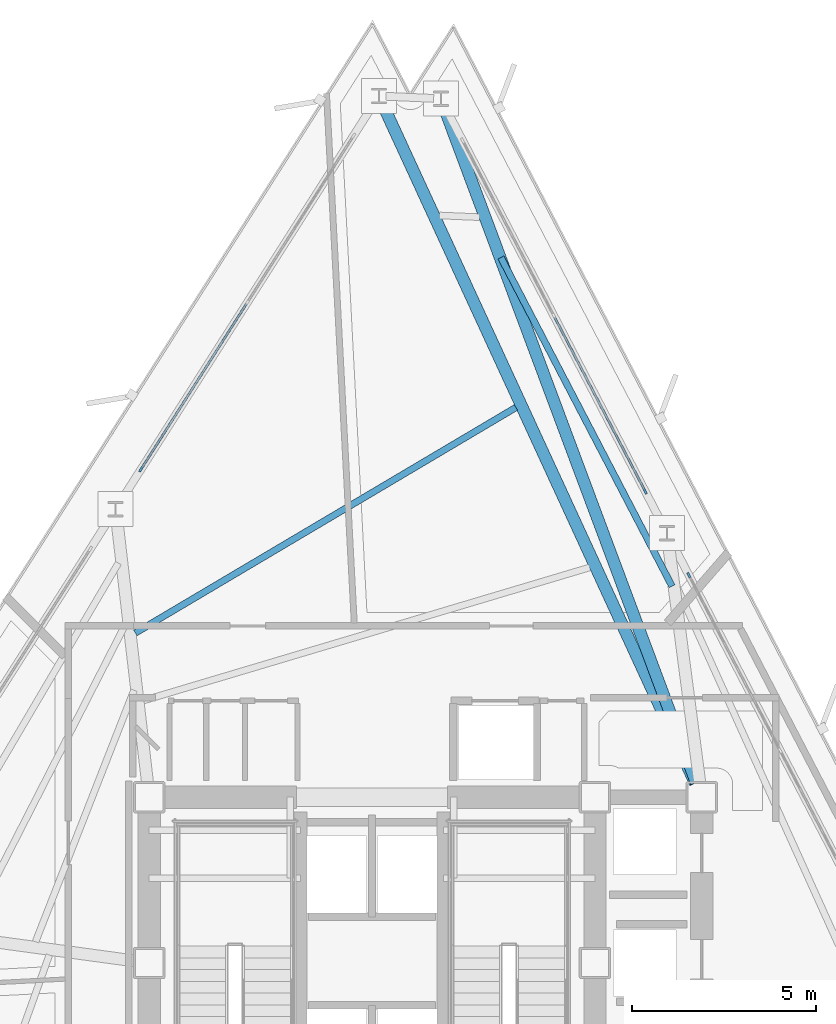
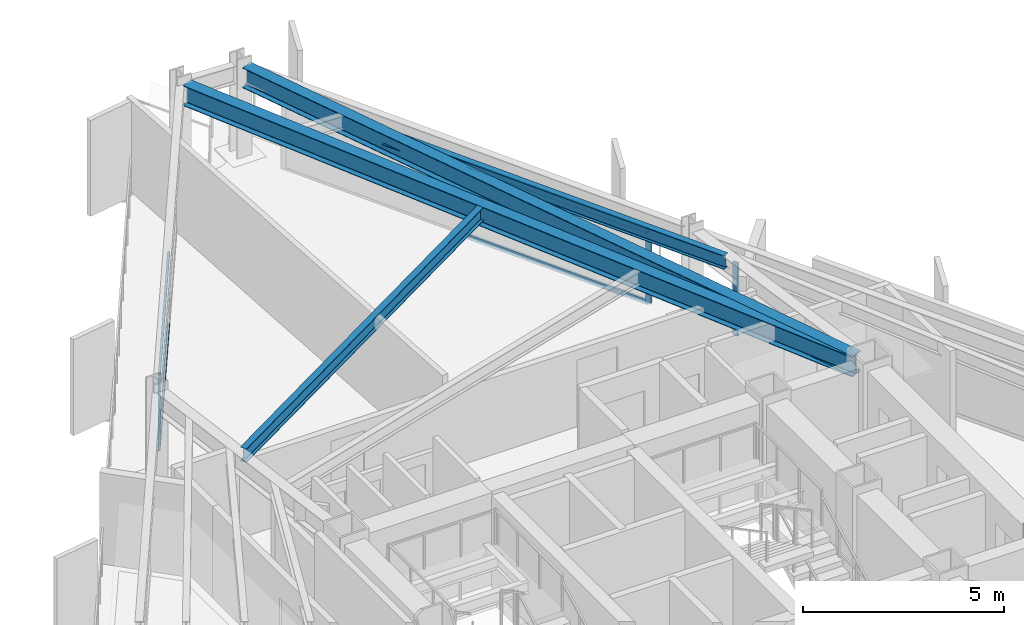
# One storey, part 4 of 12: 7 members, 4 beams, 3 elements without a shape of their own.
"""IFC4 building model written with IfcOpenShell, lengths in metres."""

from ifc_helpers import new_model, si_unit, direction, frame, origin, origin_2d, place, context, subcontext, project, spatial, rectangle, i_section, extrude, material, layer, layer_set, material_profile, profile_set, type_object, element, aggregate, save


model = new_model("IFC4")

# Units and contexts
model_context = context("Model", 3, precision=1e-05, world=origin(), true_north=direction((0.0, 1.0)))
body_context = subcontext(model_context, "Body", "Model", "MODEL_VIEW")
ifc_project = project(units=[si_unit("LENGTHUNIT", "METRE"), si_unit("AREAUNIT", "SQUARE_METRE"), si_unit("VOLUMEUNIT", "CUBIC_METRE"), si_unit("PLANEANGLEUNIT", "RADIAN"), si_unit("MASSUNIT", "GRAM", prefix="KILO")], contexts=[model_context])

# Site, building, storey
site_placement = place(None, origin())
site = spatial("IfcSite", under=ifc_project, at=site_placement, CompositionType="ELEMENT")
building_placement = place(site_placement, origin())
building = spatial("IfcBuilding", under=site, at=building_placement, Name="Rocaltana Carrier Exchange", CompositionType="ELEMENT")
storey_placement = place(building_placement, frame((0.0, 0.0, 125.919921875)))
storey = spatial("IfcBuildingStorey", under=building, at=storey_placement, Name="L39", CompositionType="ELEMENT", Elevation=125.919921875)

# Curtain wall, member
ifc_material_1 = material(Name="Aluminium 6063-T6", Category="aluminium")
ifc_layer = layer(ifc_material_1, 0.14990234375)
ifc_layer_set = layer_set([ifc_layer], Name="Aluminium 6063-T6")
curtain_wall_type = type_object("IfcCurtainWallType", Name="Mid-Tower Unitised Curtain Wall CW-03", PredefinedType="NOTDEFINED", material=ifc_layer_set)
curtain_wall_1_placement = place(storey_placement, origin())
curtain_wall_1 = element("IfcCurtainWall", 1, at=curtain_wall_1_placement, inside=storey, type_object=curtain_wall_type, Name="L39 CW-03 Run CW-L39-F1S2", PredefinedType="NOTDEFINED")
ifc_material_2 = material(Name="Aluminium 6063-T6", Category="aluminium")
ifc_material_profile_1 = material_profile(ifc_material_2, rectangle(XDim=0.06005859375, YDim=0.14990234375, at=origin_2d()), Name="AL-60X150")
ifc_profile_set_1 = profile_set([ifc_material_profile_1], Name="Aluminium 6063-T6")
member_type_1 = type_object("IfcMemberType", Name="CW-03 Mullion AL-60X150", PredefinedType="MULLION", material=ifc_profile_set_1)
member_1_placement = place(storey_placement, frame((8.60009765625, 10.531005859375, 0.0), z_axis=(0.0, 0.0, 1.0), x_axis=(-0.887011747812, -0.461746856235, 0.0)))
member_1 = element("IfcMember", 2, at=member_1_placement, type_object=member_type_1, Name="CW-03 mullion 3", PredefinedType="MULLION", context=body_context, shape_type="SweptSolid", body=[
    extrude(rectangle(XDim=0.06005859375, YDim=0.14990234375, at=origin_2d()), origin(), (0.0, 0.0, 1.0), 2.218017578125),
])
aggregate(curtain_wall_1, [member_1])

curtain_wall_2_placement = place(storey_placement, origin())
curtain_wall_2 = element("IfcCurtainWall", 3, at=curtain_wall_2_placement, inside=storey, type_object=curtain_wall_type, Name="L39 CW-03 Run CW-L39-F1S3", PredefinedType="NOTDEFINED")
member_2_placement = place(storey_placement, frame((7.41796875, 12.8017578125, 0.0), z_axis=(0.0, 0.0, 1.0), x_axis=(-0.887007955385, -0.461754141383, 0.0)))
member_2 = element("IfcMember", 4, at=member_2_placement, type_object=member_type_1, Name="CW-03 mullion 1", PredefinedType="MULLION", context=body_context, shape_type="SweptSolid", body=[
    extrude(rectangle(XDim=0.06005859375, YDim=0.14990234375, at=origin_2d()), origin(), (0.0, 0.0, 1.0), 2.218017578125),
])

curtain_wall_3_placement = place(storey_placement, origin())
curtain_wall_3 = element("IfcCurtainWall", 5, at=curtain_wall_3_placement, inside=storey, type_object=curtain_wall_type, Name="L39 CW-03 Run CW-L39-F2S1", PredefinedType="NOTDEFINED")
member_3_placement = place(storey_placement, frame((-6.27392578125, 13.3994140625, 0.0), z_axis=(0.0, 0.0, 1.0), x_axis=(0.843390685726, -0.537300801443, 0.0)))
member_3 = element("IfcMember", 6, at=member_3_placement, type_object=member_type_1, Name="CW-03 mullion 3", PredefinedType="MULLION", context=body_context, shape_type="SweptSolid", body=[
    extrude(rectangle(XDim=0.06005859375, YDim=0.14990234375, at=origin_2d()), origin(), (0.0, 0.0, 1.0), 2.218017578125),
])

# Member
ifc_material_3 = material(Name="Aluminium 6063-T6", Category="aluminium")
ifc_material_profile_2 = material_profile(ifc_material_3, rectangle(XDim=0.06005859375, YDim=0.14990234375, at=origin_2d()), Name="AL-60X150")
ifc_profile_set_2 = profile_set([ifc_material_profile_2], Name="Aluminium 6063-T6")
member_type_2 = type_object("IfcMemberType", Name="CW-03 Transom AL-60X150", PredefinedType="USERDEFINED", material=ifc_profile_set_2)
member_4_placement = place(storey_placement, frame((7.404052734375, 12.828369140625, 0.030029296875), z_axis=(-0.461756588365, 0.887006681543, 0.0), x_axis=(-0.887006681543, -0.461756588365, 0.0)))
member_4 = element("IfcMember", 7, at=member_4_placement, type_object=member_type_2, Name="CW-03 transom 1.1", ObjectType="TRANSOM", PredefinedType="USERDEFINED", context=body_context, shape_type="SweptSolid", body=[
    extrude(rectangle(XDim=0.06005859375, YDim=0.14990234375, at=origin_2d()), origin(), (0.0, 0.0, 1.0), 5.31005859375),
])

member_5_placement = place(storey_placement, frame((7.404052734375, 12.828369140625, 2.18798828125), z_axis=(-0.461756588365, 0.887006681543, 0.0), x_axis=(-0.887006681543, -0.461756588365, 0.0)))
member_5 = element("IfcMember", 8, at=member_5_placement, type_object=member_type_2, Name="CW-03 transom 1.2", ObjectType="TRANSOM", PredefinedType="USERDEFINED", context=body_context, shape_type="SweptSolid", body=[
    extrude(rectangle(XDim=0.06005859375, YDim=0.14990234375, at=origin_2d()), origin(), (0.0, 0.0, 1.0), 5.31005859375),
])

aggregate(curtain_wall_2, [member_2, member_4, member_5])

member_6_placement = place(storey_placement, frame((-3.40478515625, 17.903076171875, 0.030029296875), z_axis=(-0.537306810176, -0.843386857698, 0.0), x_axis=(0.843386857698, -0.537306810176, 0.0)))
member_6 = element("IfcMember", 9, at=member_6_placement, type_object=member_type_2, Name="CW-03 transom 2.1", ObjectType="TRANSOM", PredefinedType="USERDEFINED", context=body_context, shape_type="SweptSolid", body=[
    extrude(rectangle(XDim=0.06005859375, YDim=0.14990234375, at=origin_2d()), origin(), (0.0, 0.0, 1.0), 5.309814453125),
])

member_7_placement = place(storey_placement, frame((-3.40478515625, 17.903076171875, 2.18798828125), z_axis=(-0.537306810176, -0.843386857698, 0.0), x_axis=(0.843386857698, -0.537306810176, 0.0)))
member_7 = element("IfcMember", 10, at=member_7_placement, type_object=member_type_2, Name="CW-03 transom 2.2", ObjectType="TRANSOM", PredefinedType="USERDEFINED", context=body_context, shape_type="SweptSolid", body=[
    extrude(rectangle(XDim=0.06005859375, YDim=0.14990234375, at=origin_2d()), origin(), (0.0, 0.0, 1.0), 5.309814453125),
])

aggregate(curtain_wall_3, [member_3, member_6, member_7])

# Beams
ifc_material_4 = material(Name="Steel S355", Category="steel")
ifc_material_profile_3 = material_profile(ifc_material_4, i_section(OverallWidth=0.179931640625, OverallDepth=0.4130859375, WebThickness=0.009765625, FlangeThickness=0.01611328125, FilletRadius=0.012939453125, at=origin_2d()), Name="W16X50")
ifc_profile_set_3 = profile_set([ifc_material_profile_3], Name="Steel S355")
beam_type_1 = type_object("IfcBeamType", Name="Floor Joist W16X50", PredefinedType="JOIST", material=ifc_profile_set_3)
beam_1_placement = place(storey_placement, frame((8.14404296875, 10.22802734375, 2.58154296875), z_axis=(-0.461750708655, 0.887009742368, 0.0), x_axis=(-0.887009742368, -0.461750708655, 0.0)))
element("IfcBeam", 11, at=beam_1_placement, inside=storey, type_object=beam_type_1, Name="FJ-L39-03-3", PredefinedType="JOIST", context=body_context, shape_type="SweptSolid", body=[
    extrude(i_section(OverallWidth=0.179931640625, OverallDepth=0.4130859375, WebThickness=0.009765625, FlangeThickness=0.01611328125, FilletRadius=0.012939453125, at=origin_2d()), origin(), (0.0, 0.0, 1.0), 10.062255859375),
])
beam_2_placement = place(storey_placement, frame((3.906982421875, 15.081298828125, 2.58154296875), z_axis=(-0.86032256877, -0.509750014876, 0.0), x_axis=(0.509750014876, -0.86032256877, 0.0)))
element("IfcBeam", 12, at=beam_2_placement, inside=storey, type_object=beam_type_1, Name="FJ-L39-05-2", PredefinedType="JOIST", context=body_context, shape_type="SweptSolid", body=[
    extrude(i_section(OverallWidth=0.179931640625, OverallDepth=0.4130859375, WebThickness=0.009765625, FlangeThickness=0.01611328125, FilletRadius=0.012939453125, at=origin_2d()), origin(), (0.0, 0.0, 1.0), 12.010986328125),
])
ifc_material_5 = material(Name="Steel S355", Category="steel")
ifc_material_profile_4 = material_profile(ifc_material_5, i_section(OverallWidth=0.323974609375, OverallDepth=0.611083984375, WebThickness=0.0126953125, FlangeThickness=0.01904296875, FilletRadius=0.01611328125, at=origin_2d()), Name="W24X104")
ifc_profile_set_4 = profile_set([ifc_material_profile_4], Name="Steel S355")
beam_type_2 = type_object("IfcBeamType", Name="Radial Girder W24X104", PredefinedType="BEAM", material=ifc_profile_set_4)
beam_3_placement = place(storey_placement, frame((8.80419921875, 4.890625, 2.482666015625), z_axis=(-0.349877431588, 0.936795486147, 0.0), x_axis=(-0.936795486147, -0.349877431588, 0.0)))
element("IfcBeam", 13, at=beam_3_placement, inside=storey, type_object=beam_type_2, Name="RG-L39-04", PredefinedType="BEAM", context=body_context, shape_type="SweptSolid", body=[
    extrude(i_section(OverallWidth=0.323974609375, OverallDepth=0.611083984375, WebThickness=0.0126953125, FlangeThickness=0.01904296875, FilletRadius=0.01611328125, at=origin_2d()), origin(), (0.0, 0.0, 1.0), 19.630859375),
])
beam_4_placement = place(storey_placement, frame((8.775634765625, 4.87890625, 2.482666015625), z_axis=(-0.418241517275, 0.908335859265, 0.0), x_axis=(-0.908335859265, -0.418241517275, 0.0)))
element("IfcBeam", 14, at=beam_4_placement, inside=storey, type_object=beam_type_2, Name="RG-L39-05", PredefinedType="BEAM", context=body_context, shape_type="SweptSolid", body=[
    extrude(i_section(OverallWidth=0.323974609375, OverallDepth=0.611083984375, WebThickness=0.0126953125, FlangeThickness=0.01904296875, FilletRadius=0.01611328125, at=origin_2d()), origin(), (0.0, 0.0, 1.0), 20.345947265625),
])

save(model, "model.ifc")
